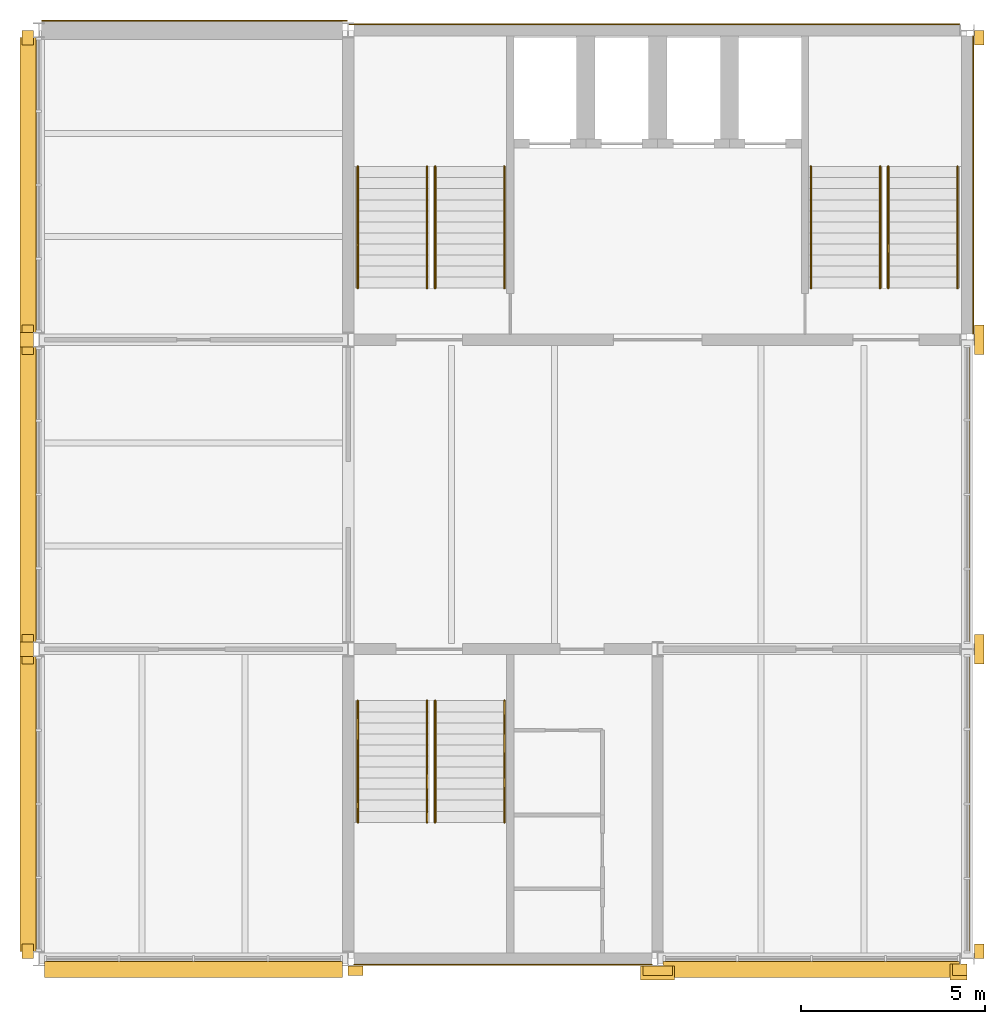
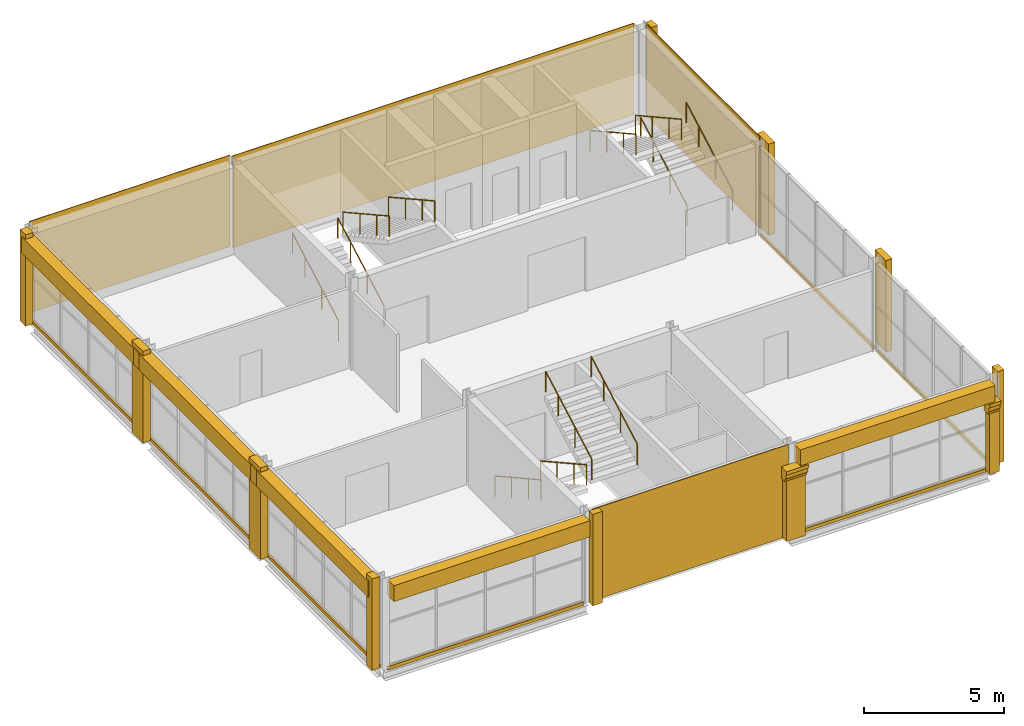
# One storey, part 8 of 8: 31 coverings, 12 railings.
"""IFC4 building model written with IfcOpenShell, lengths in metres."""

from ifc_helpers import new_model, si_unit, direction, frame, origin, origin_2d, place, context, subcontext, project, spatial, polyline, rectangle, circle, outline, extrude, material, layer, layer_set, type_object, element, save


model = new_model("IFC4")

# Units and contexts
model_context = context("Model", 3, precision=1e-05, world=origin(), true_north=direction((0.0, 1.0)))
body_context = subcontext(model_context, "Body", "Model", "MODEL_VIEW")
ifc_project = project(units=[si_unit("LENGTHUNIT", "METRE"), si_unit("AREAUNIT", "SQUARE_METRE"), si_unit("VOLUMEUNIT", "CUBIC_METRE"), si_unit("PLANEANGLEUNIT", "RADIAN"), si_unit("MASSUNIT", "GRAM", prefix="KILO")], contexts=[model_context])

# Site, building, storey
site_placement = place(None, origin())
site = spatial("IfcSite", under=ifc_project, at=site_placement, CompositionType="ELEMENT")
building_placement = place(site_placement, origin())
building = spatial("IfcBuilding", under=site, at=building_placement, Name="Galleria Vessillo Department Store", CompositionType="ELEMENT")
storey_placement = place(building_placement, frame((0.0, 0.0, 55.60009765625)))
storey = spatial("IfcBuildingStorey", under=building, at=storey_placement, Name="L12", CompositionType="ELEMENT", Elevation=55.60009765625)

# Coverings
ifc_material_1 = material(Name="Lime plaster (intonaco) ochre")
ifc_layer_1 = layer(ifc_material_1, 0.030029296875)
ifc_layer_set_1 = layer_set([ifc_layer_1], Name="Lime plaster (intonaco) ochre")
covering_type_1 = type_object("IfcCoveringType", Name="Lime plaster render 30 mm", PredefinedType="CLADDING", material=ifc_layer_set_1)
covering_1_placement = place(storey_placement, frame((96.62255859375, 63.264892578125, 0.0), z_axis=(0.0, 0.0, 1.0), x_axis=(1.0, 0.0, 0.0)))
element("IfcCovering", 1, at=covering_1_placement, inside=storey, type_object=covering_type_1, Name="Wall cladding S-TN-L12-01", PredefinedType="CLADDING", context=body_context, shape_type="SweptSolid", body=[
    extrude(rectangle(XDim=8.29541015625, YDim=0.030029296875, at=origin_2d()), origin(), (0.0, 0.0, 1.0), 4.0),
])
covering_2_placement = place(storey_placement, frame((109.114990234375, 63.1650390625, 0.0), z_axis=(0.0, 0.0, 1.0), x_axis=(1.0, 0.0, 0.0)))
element("IfcCovering", 2, at=covering_2_placement, inside=storey, type_object=covering_type_1, Name="Wall cladding S-CW-TC-PARTY-L12", PredefinedType="CLADDING", context=body_context, shape_type="SweptSolid", body=[
    extrude(rectangle(XDim=16.570068359375, YDim=0.030029296875, at=origin_2d()), origin(), (0.0, 0.0, 1.0), 4.0),
])
ifc_material_2 = material(Name="Botticino limestone ashlar", Category="masonry")
ifc_layer_2 = layer(ifc_material_2, 0.449951171875)
ifc_layer_set_2 = layer_set([ifc_layer_2], Name="Botticino limestone ashlar")
covering_type_2 = type_object("IfcCoveringType", Name="Limestone cornice 450 x 700", PredefinedType="MOLDING", material=ifc_layer_set_2)
covering_3_placement = place(storey_placement, frame((92.114990234375, 42.0, 3.10009765625), z_axis=(0.0, 0.0, 1.0), x_axis=(1.0, 0.0, 0.0)))
element("IfcCovering", 3, at=covering_3_placement, inside=storey, type_object=covering_type_2, Name="Cornice TW-L12-01", PredefinedType="MOLDING", context=body_context, shape_type="SweptSolid", body=[
    extrude(rectangle(XDim=0.449951171875, YDim=8.0, at=origin_2d()), origin(), (0.0, 0.0, 1.0), 0.699951171875),
])
covering_4_placement = place(storey_placement, frame((92.114990234375, 50.39990234375, 3.10009765625), z_axis=(0.0, 0.0, 1.0), x_axis=(1.0, 0.0, 0.0)))
element("IfcCovering", 4, at=covering_4_placement, inside=storey, type_object=covering_type_2, Name="Cornice TW-L12-02", PredefinedType="MOLDING", context=body_context, shape_type="SweptSolid", body=[
    extrude(rectangle(XDim=0.449951171875, YDim=8.000244140625, at=origin_2d()), origin(), (0.0, 0.0, 1.0), 0.699951171875),
])
covering_5_placement = place(storey_placement, frame((92.114990234375, 58.800048828125, 3.10009765625), z_axis=(0.0, 0.0, 1.0), x_axis=(1.0, 0.0, 0.0)))
element("IfcCovering", 5, at=covering_5_placement, inside=storey, type_object=covering_type_2, Name="Cornice TW-L12-03", PredefinedType="MOLDING", context=body_context, shape_type="SweptSolid", body=[
    extrude(rectangle(XDim=0.449951171875, YDim=8.0, at=origin_2d()), origin(), (0.0, 0.0, 1.0), 0.699951171875),
])
covering_6_placement = place(storey_placement, frame((96.60009765625, 37.51513671875, 3.10009765625), z_axis=(0.0, 0.0, 1.0), x_axis=(1.0, 0.0, 0.0)))
element("IfcCovering", 6, at=covering_6_placement, inside=storey, type_object=covering_type_2, Name="Cornice TS-L12-01", PredefinedType="MOLDING", context=body_context, shape_type="SweptSolid", body=[
    extrude(rectangle(XDim=8.10009765625, YDim=0.449951171875, at=origin_2d()), origin(), (0.0, 0.0, 1.0), 0.699951171875),
])
covering_7_placement = place(storey_placement, frame((113.375, 37.51513671875, 3.14990234375), z_axis=(0.0, 0.0, 1.0), x_axis=(1.0, 0.0, 0.0)))
element("IfcCovering", 7, at=covering_7_placement, inside=storey, type_object=covering_type_2, Name="Cornice TS-L12-02", PredefinedType="MOLDING", context=body_context, shape_type="SweptSolid", body=[
    extrude(rectangle(XDim=8.050048828125, YDim=0.449951171875, at=origin_2d()), origin(), (0.0, 0.0, 1.0), 0.699951171875),
])
for number, where, z_axis, x_axis, name in (
    (8, (92.070068359375, 46.199951171875, 3.10009765625), (0.0, 0.0, 1.0), (1.0, 0.0, 0.0), "Joint block Cornice TW-L12-01"),
    (9, (92.070068359375, 54.60009765625, 3.10009765625), (0.0, 0.0, 1.0), (1.0, 0.0, 0.0), "Joint block Cornice TW-L12-02"),
):
    element("IfcCovering", number, at=place(storey_placement, frame(where, z_axis=z_axis, x_axis=x_axis)), inside=storey, type_object=covering_type_2, Name=name, PredefinedType="MOLDING", context=body_context, shape_type="SweptSolid", body=[
        extrude(rectangle(XDim=0.35986328125, YDim=0.39990234375, at=origin_2d()), origin(), (0.0, 0.0, 1.0), 0.699951171875),
    ])
ifc_material_3 = material(Name="Botticino limestone ashlar", Category="masonry")
ifc_layer_3 = layer(ifc_material_3, 0.14990234375)
ifc_layer_set_3 = layer_set([ifc_layer_3], Name="Botticino limestone ashlar")
covering_type_3 = type_object("IfcCoveringType", Name="Limestone slab-edge fascia 150 mm", PredefinedType="CLADDING", material=ifc_layer_set_3)
covering_8_placement = place(storey_placement, frame((92.35986328125, 42.0, -0.14990234375), z_axis=(0.0, 0.0, 1.0), x_axis=(1.0, 0.0, 0.0)))
element("IfcCovering", 10, at=covering_8_placement, inside=storey, type_object=covering_type_3, Name="Slab-edge fascia TW-L11-01", PredefinedType="CLADDING", context=body_context, shape_type="SweptSolid", body=[
    extrude(rectangle(XDim=0.080078125, YDim=8.0, at=origin_2d()), origin(), (0.0, 0.0, 1.0), 0.14990234375),
])
covering_9_placement = place(storey_placement, frame((92.35986328125, 50.39990234375, -0.14990234375), z_axis=(0.0, 0.0, 1.0), x_axis=(1.0, 0.0, 0.0)))
element("IfcCovering", 11, at=covering_9_placement, inside=storey, type_object=covering_type_3, Name="Slab-edge fascia TW-L11-02", PredefinedType="CLADDING", context=body_context, shape_type="SweptSolid", body=[
    extrude(rectangle(XDim=0.080078125, YDim=8.000244140625, at=origin_2d()), origin(), (0.0, 0.0, 1.0), 0.14990234375),
])
covering_10_placement = place(storey_placement, frame((92.35986328125, 58.800048828125, -0.14990234375), z_axis=(0.0, 0.0, 1.0), x_axis=(1.0, 0.0, 0.0)))
element("IfcCovering", 12, at=covering_10_placement, inside=storey, type_object=covering_type_3, Name="Slab-edge fascia TW-L11-03", PredefinedType="CLADDING", context=body_context, shape_type="SweptSolid", body=[
    extrude(rectangle(XDim=0.080078125, YDim=8.0, at=origin_2d()), origin(), (0.0, 0.0, 1.0), 0.14990234375),
])
covering_11_placement = place(storey_placement, frame((96.60009765625, 37.760009765625, -0.14990234375), z_axis=(0.0, 0.0, 1.0), x_axis=(1.0, 0.0, 0.0)))
element("IfcCovering", 13, at=covering_11_placement, inside=storey, type_object=covering_type_3, Name="Slab-edge fascia TS-L11-01", PredefinedType="CLADDING", context=body_context, shape_type="SweptSolid", body=[
    extrude(rectangle(XDim=8.10009765625, YDim=0.080078125, at=origin_2d()), origin(), (0.0, 0.0, 1.0), 0.14990234375),
])
covering_12_placement = place(storey_placement, frame((113.375, 37.760009765625, -0.14990234375), z_axis=(0.0, 0.0, 1.0), x_axis=(1.0, 0.0, 0.0)))
element("IfcCovering", 14, at=covering_12_placement, inside=storey, type_object=covering_type_3, Name="Slab-edge fascia TS-L11-02", PredefinedType="CLADDING", context=body_context, shape_type="SweptSolid", body=[
    extrude(rectangle(XDim=8.050048828125, YDim=0.080078125, at=origin_2d()), origin(), (0.0, 0.0, 1.0), 0.14990234375),
])
covering_13_placement = place(storey_placement, frame((117.64013671875, 42.0, -0.14990234375), z_axis=(0.0, 0.0, 1.0), x_axis=(1.0, 0.0, 0.0)))
element("IfcCovering", 15, at=covering_13_placement, inside=storey, type_object=covering_type_3, Name="Slab-edge fascia TE-L11-01", PredefinedType="CLADDING", context=body_context, shape_type="SweptSolid", body=[
    extrude(rectangle(XDim=0.080078125, YDim=8.099853515625, at=origin_2d()), origin(), (0.0, 0.0, 1.0), 0.14990234375),
])
covering_14_placement = place(storey_placement, frame((117.64013671875, 50.39990234375, -0.14990234375), z_axis=(0.0, 0.0, 1.0), x_axis=(1.0, 0.0, 0.0)))
element("IfcCovering", 16, at=covering_14_placement, inside=storey, type_object=covering_type_3, Name="Slab-edge fascia TE-L11-02", PredefinedType="CLADDING", context=body_context, shape_type="SweptSolid", body=[
    extrude(rectangle(XDim=0.080078125, YDim=8.10009765625, at=origin_2d()), origin(), (0.0, 0.0, 1.0), 0.14990234375),
])
ifc_material_4 = material(Name="Botticino limestone ashlar", Category="masonry")
ifc_layer_4 = layer(ifc_material_4, 0.31005859375)
ifc_layer_set_4 = layer_set([ifc_layer_4], Name="Botticino limestone ashlar")
covering_type_4 = type_object("IfcCoveringType", Name="Limestone tower pilaster strip", PredefinedType="CLADDING", material=ifc_layer_set_4)
covering_15_placement = place(storey_placement, frame((92.094970703125, 38.0, 0.0), z_axis=(0.0, 0.0, 1.0), x_axis=(1.0, 0.0, 0.0)))
element("IfcCovering", 17, at=covering_15_placement, inside=storey, type_object=covering_type_4, Name="Tower pilaster strip W L12 37.8", PredefinedType="CLADDING", context=body_context, shape_type="SweptSolid", body=[
    extrude(rectangle(XDim=0.31005859375, YDim=0.39990234375, at=origin_2d()), origin(), (0.0, 0.0, 1.0), 4.0),
])
for number, where, z_axis, x_axis, name in (
    (18, (92.094970703125, 46.199951171875, 0.0), (0.0, 0.0, 1.0), (1.0, 0.0, 0.0), "Tower pilaster strip W L12 46.2"),
    (19, (92.094970703125, 54.60009765625, 0.0), (0.0, 0.0, 1.0), (1.0, 0.0, 0.0), "Tower pilaster strip W L12 54.6"),
):
    element("IfcCovering", number, at=place(storey_placement, frame(where, z_axis=z_axis, x_axis=x_axis)), inside=storey, type_object=covering_type_4, Name=name, PredefinedType="CLADDING", context=body_context, shape_type="SweptSolid", body=[
        extrude(rectangle(XDim=0.31005859375, YDim=0.800048828125, at=origin_2d()), origin(), (0.0, 0.0, 1.0), 4.0),
    ])
covering_16_placement = place(storey_placement, frame((92.094970703125, 62.800048828125, 0.0), z_axis=(0.0, 0.0, 1.0), x_axis=(1.0, 0.0, 0.0)))
element("IfcCovering", 20, at=covering_16_placement, inside=storey, type_object=covering_type_4, Name="Tower pilaster strip W L12 63.0", PredefinedType="CLADDING", context=body_context, shape_type="SweptSolid", body=[
    extrude(rectangle(XDim=0.31005859375, YDim=0.39990234375, at=origin_2d()), origin(), (0.0, 0.0, 1.0), 4.0),
])
covering_17_placement = place(storey_placement, frame((117.929931640625, 38.0, 0.0), z_axis=(0.0, 0.0, 1.0), x_axis=(1.0, 0.0, 0.0)))
element("IfcCovering", 21, at=covering_17_placement, inside=storey, type_object=covering_type_4, Name="Tower pilaster strip E L12 37.8", PredefinedType="CLADDING", context=body_context, shape_type="SweptSolid", body=[
    extrude(rectangle(XDim=0.260009765625, YDim=0.39990234375, at=origin_2d()), origin(), (0.0, 0.0, 1.0), 4.0),
])
for number, where, z_axis, x_axis, name in (
    (22, (117.929931640625, 46.199951171875, 0.0), (0.0, 0.0, 1.0), (1.0, 0.0, 0.0), "Tower pilaster strip E L12 46.2"),
    (23, (117.929931640625, 54.60009765625, 0.0), (0.0, 0.0, 1.0), (1.0, 0.0, 0.0), "Tower pilaster strip E L12 54.6"),
):
    element("IfcCovering", number, at=place(storey_placement, frame(where, z_axis=z_axis, x_axis=x_axis)), inside=storey, type_object=covering_type_4, Name=name, PredefinedType="CLADDING", context=body_context, shape_type="SweptSolid", body=[
        extrude(rectangle(XDim=0.260009765625, YDim=0.800048828125, at=origin_2d()), origin(), (0.0, 0.0, 1.0), 4.0),
    ])
covering_18_placement = place(storey_placement, frame((117.929931640625, 62.800048828125, 0.0), z_axis=(0.0, 0.0, 1.0), x_axis=(1.0, 0.0, 0.0)))
element("IfcCovering", 24, at=covering_18_placement, inside=storey, type_object=covering_type_4, Name="Tower pilaster strip E L12 63.0", PredefinedType="CLADDING", context=body_context, shape_type="SweptSolid", body=[
    extrude(rectangle(XDim=0.260009765625, YDim=0.39990234375, at=origin_2d()), origin(), (0.0, 0.0, 1.0), 4.0),
])
covering_19_placement = place(storey_placement, frame((101.0, 37.469970703125, 0.0), z_axis=(0.0, 0.0, 1.0), x_axis=(1.0, 0.0, 0.0)))
element("IfcCovering", 25, at=covering_19_placement, inside=storey, type_object=covering_type_4, Name="Tower pilaster strip S L12 100.8", PredefinedType="CLADDING", context=body_context, shape_type="SweptSolid", body=[
    extrude(rectangle(XDim=0.39990234375, YDim=0.260009765625, at=origin_2d()), origin(), (0.0, 0.0, 1.0), 4.0),
])
covering_20_placement = place(storey_placement, frame((109.199951171875, 37.469970703125, 0.0), z_axis=(0.0, 0.0, 1.0), x_axis=(1.0, 0.0, 0.0)))
element("IfcCovering", 26, at=covering_20_placement, inside=storey, type_object=covering_type_4, Name="Tower pilaster strip S L12 109.2", PredefinedType="CLADDING", context=body_context, shape_type="SweptSolid", body=[
    extrude(rectangle(XDim=0.800048828125, YDim=0.260009765625, at=origin_2d()), origin(), (0.0, 0.0, 1.0), 2.650146484375),
])
covering_21_placement = place(storey_placement, frame((117.400146484375, 37.4951171875, 0.0), z_axis=(0.0, 0.0, 1.0), x_axis=(1.0, 0.0, 0.0)))
element("IfcCovering", 27, at=covering_21_placement, inside=storey, type_object=covering_type_4, Name="Tower pilaster strip S L12 117.6", PredefinedType="CLADDING", context=body_context, shape_type="SweptSolid", body=[
    extrude(rectangle(XDim=0.39990234375, YDim=0.31005859375, at=origin_2d()), origin(), (0.0, 0.0, 1.0), 2.650146484375),
])
ifc_material_5 = material(Name="Botticino limestone ashlar", Category="masonry")
ifc_layer_5 = layer(ifc_material_5, 0.429931640625)
ifc_layer_set_5 = layer_set([ifc_layer_5], Name="Botticino limestone ashlar")
covering_type_5 = type_object("IfcCoveringType", Name="Limestone tower strip capital", PredefinedType="MOLDING", material=ifc_layer_set_5)
covering_22_placement = place(storey_placement, frame((109.659912109375, 37.800048828125, 2.650146484375), z_axis=(-1.0, 0.0, 0.0), x_axis=(0.0, -1.0, 0.0)))
element("IfcCovering", 28, at=covering_22_placement, inside=storey, type_object=covering_type_5, Name="Tower strip capital S L12 109.2", PredefinedType="MOLDING", context=body_context, shape_type="SweptSolid", body=[
    extrude(outline(polyline([(0.199951171875, 0.0), (0.4599609375, 0.0), (0.4599609375, 0.083251953125), (0.52001953125, 0.14990234375), (0.52001953125, 0.316650390625), (0.580078125, 0.35009765625), (0.580078125, 0.5), (0.199951171875, 0.5), (0.199951171875, 0.0)])), origin(), (0.0, 0.0, 1.0), 0.919921875),
])
covering_23_placement = place(storey_placement, frame((117.60009765625, 37.800048828125, 2.650146484375), z_axis=(-1.0, 0.0, 0.0), x_axis=(0.0, -1.0, 0.0)))
element("IfcCovering", 29, at=covering_23_placement, inside=storey, type_object=covering_type_5, Name="Tower strip capital S L12 117.6", PredefinedType="MOLDING", context=body_context, shape_type="SweptSolid", body=[
    extrude(outline(polyline([(0.14990234375, 0.0), (0.4599609375, 0.0), (0.4599609375, 0.083251953125), (0.52001953125, 0.14990234375), (0.52001953125, 0.316650390625), (0.580078125, 0.35009765625), (0.580078125, 0.5), (0.14990234375, 0.5), (0.14990234375, 0.0)])), origin(), (0.0, 0.0, 1.0), 0.4599609375),
])
ifc_material_6 = material(Name="Botticino limestone ashlar", Category="masonry")
ifc_layer_6 = layer(ifc_material_6, 0.030029296875)
ifc_layer_set_6 = layer_set([ifc_layer_6], Name="Botticino limestone ashlar")
covering_type_6 = type_object("IfcCoveringType", Name="Limestone wall cladding 30 mm", PredefinedType="CLADDING", material=ifc_layer_set_6)
covering_24_placement = place(storey_placement, frame((117.76513671875, 58.800048828125, 0.0), z_axis=(0.0, 0.0, 1.0), x_axis=(1.0, 0.0, 0.0)))
element("IfcCovering", 30, at=covering_24_placement, inside=storey, type_object=covering_type_6, Name="Wall cladding S-CW-TC-EAST-L12", PredefinedType="CLADDING", context=body_context, shape_type="SweptSolid", body=[
    extrude(rectangle(XDim=0.030029296875, YDim=8.099853515625, at=origin_2d()), origin(), (0.0, 0.0, 1.0), 4.0),
])
covering_25_placement = place(storey_placement, frame((105.0, 37.635009765625, 0.0), z_axis=(0.0, 0.0, 1.0), x_axis=(1.0, 0.0, 0.0)))
element("IfcCovering", 31, at=covering_25_placement, inside=storey, type_object=covering_type_6, Name="Wall cladding S-CW-TS-PARTY-L12", PredefinedType="CLADDING", context=body_context, shape_type="SweptSolid", body=[
    extrude(rectangle(XDim=8.099853515625, YDim=0.030029296875, at=origin_2d()), origin(), (0.0, 0.0, 1.0), 4.0),
])

# Railings
ifc_material_7 = material(Name="Stainless steel tube", Category="steel")
railing_type = type_object("IfcRailingType", Name="Stair handrail steel tube 48 mm", PredefinedType="HANDRAIL", material=ifc_material_7)
for number, where, name in (
    (32, (101.06005859375, 56.0, 0.166748046875), "Handrail ST8 L12 flight 1A"),
    (33, (102.93994140625, 56.0, 0.166748046875), "Handrail ST8 L12 flight 1B"),
):
    element("IfcRailing", number, at=place(storey_placement, frame(where)), inside=storey, type_object=railing_type, Name=name, PredefinedType="HANDRAIL", context=body_context, shape_type="SweptSolid", body=[
        extrude(circle(Radius=0.02392578125, at=origin_2d()), frame((0.0, 0.0, 0.89599609375), z_axis=(0.0, 0.874199221805, 0.485567421267), x_axis=(-1.0, 0.0, 0.0)), (0.0, 0.0, 1.0), 1.37255859375),
        extrude(circle(Radius=0.02392578125, at=origin_2d()), frame((0.0, 1.199951171875, 1.5625), z_axis=(0.0, 0.874123717778, 0.485703331282), x_axis=(-1.0, 0.0, 0.0)), (0.0, 0.0, 1.0), 1.372802734375),
        extrude(circle(Radius=0.02392578125, at=origin_2d()), frame((0.0, 2.39990234375, 2.22900390625), z_axis=(0.0, 0.874190826042, 0.485582536407), x_axis=(-1.0, 0.0, 0.0)), (0.0, 0.0, 1.0), 1.02978515625),
        extrude(circle(Radius=0.02099609375, at=origin_2d()), origin(), (0.0, 0.0, 1.0), 0.871826171875),
        extrude(circle(Radius=0.02099609375, at=origin_2d()), frame((0.0, 1.199951171875, 0.66650390625)), (0.0, 0.0, 1.0), 0.871826171875),
        extrude(circle(Radius=0.02099609375, at=origin_2d()), frame((0.0, 2.39990234375, 1.333251953125)), (0.0, 0.0, 1.0), 0.871826171875),
        extrude(circle(Radius=0.02099609375, at=origin_2d()), frame((0.0, 3.300048828125, 1.833251953125)), (0.0, 0.0, 1.0), 0.871826171875),
    ])
for number, where, name in (
    (34, (105.0400390625, 59.300048828125, 2.166748046875), "Handrail ST8 L12 flight 2A"),
    (35, (103.16015625, 59.300048828125, 2.166748046875), "Handrail ST8 L12 flight 2B"),
):
    element("IfcRailing", number, at=place(storey_placement, frame(where)), inside=storey, type_object=railing_type, Name=name, PredefinedType="HANDRAIL", context=body_context, shape_type="SweptSolid", body=[
        extrude(circle(Radius=0.02392578125, at=origin_2d()), frame((0.0, 0.0, 0.89599609375), z_axis=(0.0, -0.874199221805, 0.485567421267), x_axis=(1.0, 0.0, 0.0)), (0.0, 0.0, 1.0), 1.37255859375),
        extrude(circle(Radius=0.02392578125, at=origin_2d()), frame((0.0, -1.199951171875, 1.5625), z_axis=(0.0, -0.874123717778, 0.485703331282), x_axis=(1.0, 0.0, 0.0)), (0.0, 0.0, 1.0), 1.372802734375),
        extrude(circle(Radius=0.02392578125, at=origin_2d()), frame((0.0, -2.39990234375, 2.22900390625), z_axis=(0.0, -0.874190826042, 0.485582536407), x_axis=(1.0, 0.0, 0.0)), (0.0, 0.0, 1.0), 1.02978515625),
        extrude(circle(Radius=0.02099609375, at=origin_2d()), origin(), (0.0, 0.0, 1.0), 0.871826171875),
        extrude(circle(Radius=0.02099609375, at=origin_2d()), frame((0.0, -1.199951171875, 0.66650390625)), (0.0, 0.0, 1.0), 0.871826171875),
        extrude(circle(Radius=0.02099609375, at=origin_2d()), frame((0.0, -2.39990234375, 1.333251953125)), (0.0, 0.0, 1.0), 0.871826171875),
        extrude(circle(Radius=0.02099609375, at=origin_2d()), frame((0.0, -3.300048828125, 1.833251953125)), (0.0, 0.0, 1.0), 0.871826171875),
    ])
for number, where, name in (
    (36, (115.4599609375, 56.0, 0.166748046875), "Handrail ST9 L12 flight 1A"),
    (37, (117.33984375, 56.0, 0.166748046875), "Handrail ST9 L12 flight 1B"),
):
    element("IfcRailing", number, at=place(storey_placement, frame(where)), inside=storey, type_object=railing_type, Name=name, PredefinedType="HANDRAIL", context=body_context, shape_type="SweptSolid", body=[
        extrude(circle(Radius=0.02392578125, at=origin_2d()), frame((0.0, 0.0, 0.89599609375), z_axis=(0.0, 0.874199221805, 0.485567421267), x_axis=(-1.0, 0.0, 0.0)), (0.0, 0.0, 1.0), 1.37255859375),
        extrude(circle(Radius=0.02392578125, at=origin_2d()), frame((0.0, 1.199951171875, 1.5625), z_axis=(0.0, 0.874123717778, 0.485703331282), x_axis=(-1.0, 0.0, 0.0)), (0.0, 0.0, 1.0), 1.372802734375),
        extrude(circle(Radius=0.02392578125, at=origin_2d()), frame((0.0, 2.39990234375, 2.22900390625), z_axis=(0.0, 0.874190826042, 0.485582536407), x_axis=(-1.0, 0.0, 0.0)), (0.0, 0.0, 1.0), 1.02978515625),
        extrude(circle(Radius=0.02099609375, at=origin_2d()), origin(), (0.0, 0.0, 1.0), 0.871826171875),
        extrude(circle(Radius=0.02099609375, at=origin_2d()), frame((0.0, 1.199951171875, 0.66650390625)), (0.0, 0.0, 1.0), 0.871826171875),
        extrude(circle(Radius=0.02099609375, at=origin_2d()), frame((0.0, 2.39990234375, 1.333251953125)), (0.0, 0.0, 1.0), 0.871826171875),
        extrude(circle(Radius=0.02099609375, at=origin_2d()), frame((0.0, 3.300048828125, 1.833251953125)), (0.0, 0.0, 1.0), 0.871826171875),
    ])
for number, where, name in (
    (38, (115.239990234375, 59.300048828125, 2.166748046875), "Handrail ST9 L12 flight 2A"),
    (39, (113.360107421875, 59.300048828125, 2.166748046875), "Handrail ST9 L12 flight 2B"),
    (40, (102.93994140625, 44.800048828125, 0.166748046875), "Handrail ST12 L12 flight 1A"),
    (41, (101.06005859375, 44.800048828125, 0.166748046875), "Handrail ST12 L12 flight 1B"),
):
    element("IfcRailing", number, at=place(storey_placement, frame(where)), inside=storey, type_object=railing_type, Name=name, PredefinedType="HANDRAIL", context=body_context, shape_type="SweptSolid", body=[
        extrude(circle(Radius=0.02392578125, at=origin_2d()), frame((0.0, 0.0, 0.89599609375), z_axis=(0.0, -0.874199221805, 0.485567421267), x_axis=(1.0, 0.0, 0.0)), (0.0, 0.0, 1.0), 1.37255859375),
        extrude(circle(Radius=0.02392578125, at=origin_2d()), frame((0.0, -1.199951171875, 1.5625), z_axis=(0.0, -0.874123717778, 0.485703331282), x_axis=(1.0, 0.0, 0.0)), (0.0, 0.0, 1.0), 1.372802734375),
        extrude(circle(Radius=0.02392578125, at=origin_2d()), frame((0.0, -2.39990234375, 2.22900390625), z_axis=(0.0, -0.874190826042, 0.485582536407), x_axis=(1.0, 0.0, 0.0)), (0.0, 0.0, 1.0), 1.02978515625),
        extrude(circle(Radius=0.02099609375, at=origin_2d()), origin(), (0.0, 0.0, 1.0), 0.871826171875),
        extrude(circle(Radius=0.02099609375, at=origin_2d()), frame((0.0, -1.199951171875, 0.66650390625)), (0.0, 0.0, 1.0), 0.871826171875),
        extrude(circle(Radius=0.02099609375, at=origin_2d()), frame((0.0, -2.39990234375, 1.333251953125)), (0.0, 0.0, 1.0), 0.871826171875),
        extrude(circle(Radius=0.02099609375, at=origin_2d()), frame((0.0, -3.300048828125, 1.833251953125)), (0.0, 0.0, 1.0), 0.871826171875),
    ])
for number, where, name in (
    (42, (103.16015625, 41.5, 2.166748046875), "Handrail ST12 L12 flight 2A"),
    (43, (105.0400390625, 41.5, 2.166748046875), "Handrail ST12 L12 flight 2B"),
):
    element("IfcRailing", number, at=place(storey_placement, frame(where)), inside=storey, type_object=railing_type, Name=name, PredefinedType="HANDRAIL", context=body_context, shape_type="SweptSolid", body=[
        extrude(circle(Radius=0.02392578125, at=origin_2d()), frame((0.0, 0.0, 0.89599609375), z_axis=(0.0, 0.874199221805, 0.485567421267), x_axis=(-1.0, 0.0, 0.0)), (0.0, 0.0, 1.0), 1.37255859375),
        extrude(circle(Radius=0.02392578125, at=origin_2d()), frame((0.0, 1.199951171875, 1.5625), z_axis=(0.0, 0.874123717778, 0.485703331282), x_axis=(-1.0, 0.0, 0.0)), (0.0, 0.0, 1.0), 1.372802734375),
        extrude(circle(Radius=0.02392578125, at=origin_2d()), frame((0.0, 2.39990234375, 2.22900390625), z_axis=(0.0, 0.874190826042, 0.485582536407), x_axis=(-1.0, 0.0, 0.0)), (0.0, 0.0, 1.0), 1.02978515625),
        extrude(circle(Radius=0.02099609375, at=origin_2d()), origin(), (0.0, 0.0, 1.0), 0.871826171875),
        extrude(circle(Radius=0.02099609375, at=origin_2d()), frame((0.0, 1.199951171875, 0.66650390625)), (0.0, 0.0, 1.0), 0.871826171875),
        extrude(circle(Radius=0.02099609375, at=origin_2d()), frame((0.0, 2.39990234375, 1.333251953125)), (0.0, 0.0, 1.0), 0.871826171875),
        extrude(circle(Radius=0.02099609375, at=origin_2d()), frame((0.0, 3.300048828125, 1.833251953125)), (0.0, 0.0, 1.0), 0.871826171875),
    ])

save(model, "model.ifc")
